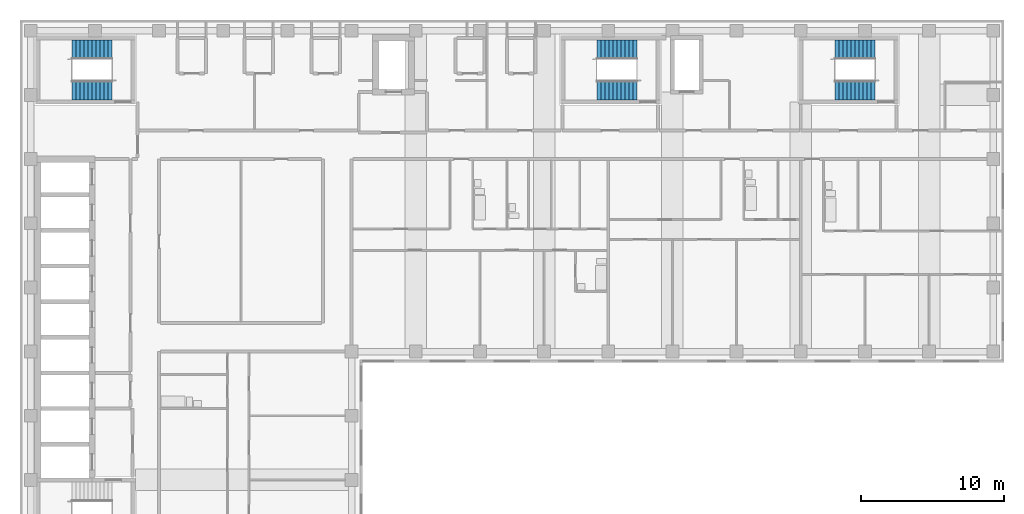
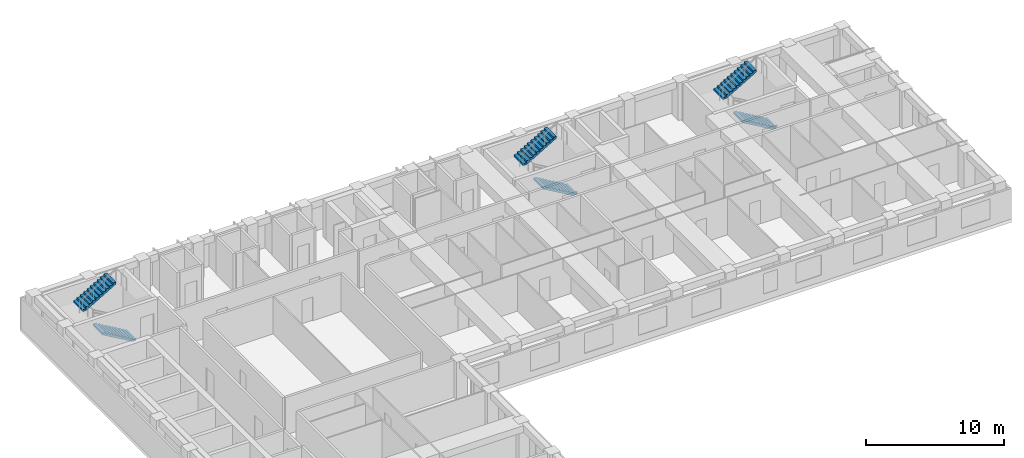
# One storey, part 9 of 11: 6 stair flights, 3 elements without a shape of their own.
"""IFC4 building model written with IfcOpenShell, lengths in metres."""

from ifc_helpers import new_model, si_unit, direction, frame, origin, place, context, subcontext, project, spatial, polyline, outline, extrude, material, type_object, element, aggregate, save


model = new_model("IFC4")

# Units and contexts
model_context = context("Model", 3, precision=1e-05, world=origin(), true_north=direction((0.0, 1.0)))
body_context = subcontext(model_context, "Body", "Model", "MODEL_VIEW")
ifc_project = project(units=[si_unit("LENGTHUNIT", "METRE"), si_unit("AREAUNIT", "SQUARE_METRE"), si_unit("VOLUMEUNIT", "CUBIC_METRE"), si_unit("PLANEANGLEUNIT", "RADIAN"), si_unit("MASSUNIT", "GRAM", prefix="KILO")], contexts=[model_context])

# Site, building, storey
site_placement = place(None, origin())
site = spatial("IfcSite", under=ifc_project, at=site_placement, CompositionType="ELEMENT")
building_placement = place(site_placement, origin())
building = spatial("IfcBuilding", under=site, at=building_placement, Name="Firuza Court", CompositionType="ELEMENT")
storey_placement = place(building_placement, frame((0.0, 0.0, 179.0)))
storey = spatial("IfcBuildingStorey", under=building, at=storey_placement, Name="L45", CompositionType="ELEMENT", Elevation=179.0)

# Stair, stair flights
ifc_material_1 = material(Name="Concrete C40/50 precast", Category="concrete")
stair_type = type_object("IfcStairType", Name="Stair 1350 x 3600 2 flights", PredefinedType="HALF_TURN_STAIR", material=ifc_material_1)
stair_1_placement = place(storey_placement, origin())
stair_1 = element("IfcStair", 1, at=stair_1_placement, inside=storey, type_object=stair_type, Name="Stair 1 L45", PredefinedType="HALF_TURN_STAIR")
ifc_material_2 = material(Name="Concrete C40/50 precast", Category="concrete")
stair_flight_type = type_object("IfcStairFlightType", Name="Flight 1350 riser 163.6", PredefinedType="STRAIGHT", material=ifc_material_2)
stair_flight_1_placement = place(storey_placement, frame((42.5, 54.324951171875, 0.0), z_axis=(0.0, 0.0, 1.0), x_axis=(-1.0, 0.0, 0.0)))
stair_flight_1 = element("IfcStairFlight", 2, at=stair_flight_1_placement, type_object=stair_flight_type, Name="S1 flight 1", NumberOfRisers=11, NumberOfTreads=10, PredefinedType="STRAIGHT", RiserHeight=0.163636364, TreadLength=0.28, context=body_context, shape_type="SweptSolid", body=[
    extrude(outline(polyline([(0.0, 0.0), (0.0, 0.16357421875), (0.280029296875, 0.16357421875), (0.280029296875, 0.327392578125), (0.56005859375, 0.327392578125), (0.56005859375, 0.490966796875), (0.840087890625, 0.490966796875), (0.840087890625, 0.654541015625), (1.1201171875, 0.654541015625), (1.1201171875, 0.818115234375), (1.39990234375, 0.818115234375), (1.39990234375, 0.98193359375), (1.679931640625, 0.98193359375), (1.679931640625, 1.1455078125), (1.9599609375, 1.1455078125), (1.9599609375, 1.30908203125), (2.239990234375, 1.30908203125), (2.239990234375, 1.47265625), (2.52001953125, 1.47265625), (2.52001953125, 1.636474609375), (2.800048828125, 1.636474609375), (2.800048828125, 1.800048828125), (2.800048828125, 1.462646484375), (0.297119140625, 0.0), (0.0, 0.0)])), frame((0.0, 0.675048828125, 0.0), z_axis=(0.0, -1.0, 0.0), x_axis=(1.0, 0.0, 0.0)), (0.0, 0.0, 1.0), 1.35009765625),
])
stair_flight_2_placement = place(storey_placement, frame((39.699951171875, 57.175048828125, 1.800048828125), z_axis=(0.0, 0.0, 1.0), x_axis=(1.0, 0.0, 0.0)))
stair_flight_2 = element("IfcStairFlight", 3, at=stair_flight_2_placement, type_object=stair_flight_type, Name="S1 flight 2", NumberOfRisers=11, NumberOfTreads=10, PredefinedType="STRAIGHT", RiserHeight=0.163636364, TreadLength=0.28, context=body_context, shape_type="SweptSolid", body=[
    extrude(outline(polyline([(0.0, 0.0), (0.0, 0.16357421875), (0.280029296875, 0.16357421875), (0.280029296875, 0.327392578125), (0.56005859375, 0.327392578125), (0.56005859375, 0.490966796875), (0.840087890625, 0.490966796875), (0.840087890625, 0.654541015625), (1.1201171875, 0.654541015625), (1.1201171875, 0.818115234375), (1.39990234375, 0.818115234375), (1.39990234375, 0.98193359375), (1.679931640625, 0.98193359375), (1.679931640625, 1.1455078125), (1.9599609375, 1.1455078125), (1.9599609375, 1.30908203125), (2.239990234375, 1.30908203125), (2.239990234375, 1.47265625), (2.52001953125, 1.47265625), (2.52001953125, 1.636474609375), (2.800048828125, 1.636474609375), (2.800048828125, 1.800048828125), (2.800048828125, 1.462646484375), (0.297119140625, 0.0), (0.0, 0.0)])), frame((0.0, 0.675048828125, 0.0), z_axis=(0.0, -1.0, 0.0), x_axis=(1.0, 0.0, 0.0)), (0.0, 0.0, 1.0), 1.35009765625),
])
aggregate(stair_1, [stair_flight_1, stair_flight_2])

stair_2_placement = place(storey_placement, origin())
stair_2 = element("IfcStair", 4, at=stair_2_placement, inside=storey, type_object=stair_type, Name="Stair 3 L45", PredefinedType="HALF_TURN_STAIR")
stair_flight_3_placement = place(storey_placement, frame((5.699951171875, 54.324951171875, 0.0), z_axis=(0.0, 0.0, 1.0), x_axis=(-1.0, 0.0, 0.0)))
stair_flight_3 = element("IfcStairFlight", 5, at=stair_flight_3_placement, type_object=stair_flight_type, Name="S3 flight 1", NumberOfRisers=11, NumberOfTreads=10, PredefinedType="STRAIGHT", RiserHeight=0.163636364, TreadLength=0.28, context=body_context, shape_type="SweptSolid", body=[
    extrude(outline(polyline([(0.0, 0.0), (0.0, 0.16357421875), (0.280029296875, 0.16357421875), (0.280029296875, 0.327392578125), (0.56005859375, 0.327392578125), (0.56005859375, 0.490966796875), (0.840087890625, 0.490966796875), (0.840087890625, 0.654541015625), (1.1201171875, 0.654541015625), (1.1201171875, 0.818115234375), (1.39990234375, 0.818115234375), (1.39990234375, 0.98193359375), (1.679931640625, 0.98193359375), (1.679931640625, 1.1455078125), (1.9599609375, 1.1455078125), (1.9599609375, 1.30908203125), (2.239990234375, 1.30908203125), (2.239990234375, 1.47265625), (2.52001953125, 1.47265625), (2.52001953125, 1.636474609375), (2.800048828125, 1.636474609375), (2.800048828125, 1.800048828125), (2.800048828125, 1.462646484375), (0.297119140625, 0.0), (0.0, 0.0)])), frame((0.0, 0.675048828125, 0.0), z_axis=(0.0, -1.0, 0.0), x_axis=(1.0, 0.0, 0.0)), (0.0, 0.0, 1.0), 1.35009765625),
])
stair_flight_4_placement = place(storey_placement, frame((2.89990234375, 57.175048828125, 1.800048828125), z_axis=(0.0, 0.0, 1.0), x_axis=(1.0, 0.0, 0.0)))
stair_flight_4 = element("IfcStairFlight", 6, at=stair_flight_4_placement, type_object=stair_flight_type, Name="S3 flight 2", NumberOfRisers=11, NumberOfTreads=10, PredefinedType="STRAIGHT", RiserHeight=0.163636364, TreadLength=0.28, context=body_context, shape_type="SweptSolid", body=[
    extrude(outline(polyline([(0.0, 0.0), (0.0, 0.16357421875), (0.280029296875, 0.16357421875), (0.280029296875, 0.327392578125), (0.56005859375, 0.327392578125), (0.56005859375, 0.490966796875), (0.840087890625, 0.490966796875), (0.840087890625, 0.654541015625), (1.1201171875, 0.654541015625), (1.1201171875, 0.818115234375), (1.39990234375, 0.818115234375), (1.39990234375, 0.98193359375), (1.679931640625, 0.98193359375), (1.679931640625, 1.1455078125), (1.9599609375, 1.1455078125), (1.9599609375, 1.30908203125), (2.239990234375, 1.30908203125), (2.239990234375, 1.47265625), (2.52001953125, 1.47265625), (2.52001953125, 1.636474609375), (2.800048828125, 1.636474609375), (2.800048828125, 1.800048828125), (2.800048828125, 1.462646484375), (0.297119140625, 0.0), (0.0, 0.0)])), frame((0.0, 0.675048828125, 0.0), z_axis=(0.0, -1.0, 0.0), x_axis=(1.0, 0.0, 0.0)), (0.0, 0.0, 1.0), 1.35009765625),
])
aggregate(stair_2, [stair_flight_3, stair_flight_4])

stair_3_placement = place(storey_placement, origin())
stair_3 = element("IfcStair", 7, at=stair_3_placement, inside=storey, type_object=stair_type, Name="Stair 4 L45", PredefinedType="HALF_TURN_STAIR")
stair_flight_5_placement = place(storey_placement, frame((59.199951171875, 54.324951171875, 0.0), z_axis=(0.0, 0.0, 1.0), x_axis=(-1.0, 0.0, 0.0)))
stair_flight_5 = element("IfcStairFlight", 8, at=stair_flight_5_placement, type_object=stair_flight_type, Name="S4 flight 1", NumberOfRisers=11, NumberOfTreads=10, PredefinedType="STRAIGHT", RiserHeight=0.163636364, TreadLength=0.28, context=body_context, shape_type="SweptSolid", body=[
    extrude(outline(polyline([(0.0, 0.0), (0.0, 0.16357421875), (0.280029296875, 0.16357421875), (0.280029296875, 0.327392578125), (0.56005859375, 0.327392578125), (0.56005859375, 0.490966796875), (0.840087890625, 0.490966796875), (0.840087890625, 0.654541015625), (1.1201171875, 0.654541015625), (1.1201171875, 0.818115234375), (1.39990234375, 0.818115234375), (1.39990234375, 0.98193359375), (1.679931640625, 0.98193359375), (1.679931640625, 1.1455078125), (1.9599609375, 1.1455078125), (1.9599609375, 1.30908203125), (2.239990234375, 1.30908203125), (2.239990234375, 1.47265625), (2.52001953125, 1.47265625), (2.52001953125, 1.636474609375), (2.800048828125, 1.636474609375), (2.800048828125, 1.800048828125), (2.800048828125, 1.462646484375), (0.297119140625, 0.0), (0.0, 0.0)])), frame((0.0, 0.675048828125, 0.0), z_axis=(0.0, -1.0, 0.0), x_axis=(1.0, 0.0, 0.0)), (0.0, 0.0, 1.0), 1.35009765625),
])
stair_flight_6_placement = place(storey_placement, frame((56.39990234375, 57.175048828125, 1.800048828125), z_axis=(0.0, 0.0, 1.0), x_axis=(1.0, 0.0, 0.0)))
stair_flight_6 = element("IfcStairFlight", 9, at=stair_flight_6_placement, type_object=stair_flight_type, Name="S4 flight 2", NumberOfRisers=11, NumberOfTreads=10, PredefinedType="STRAIGHT", RiserHeight=0.163636364, TreadLength=0.28, context=body_context, shape_type="SweptSolid", body=[
    extrude(outline(polyline([(0.0, 0.0), (0.0, 0.16357421875), (0.280029296875, 0.16357421875), (0.280029296875, 0.327392578125), (0.56005859375, 0.327392578125), (0.56005859375, 0.490966796875), (0.840087890625, 0.490966796875), (0.840087890625, 0.654541015625), (1.1201171875, 0.654541015625), (1.1201171875, 0.818115234375), (1.39990234375, 0.818115234375), (1.39990234375, 0.98193359375), (1.679931640625, 0.98193359375), (1.679931640625, 1.1455078125), (1.9599609375, 1.1455078125), (1.9599609375, 1.30908203125), (2.239990234375, 1.30908203125), (2.239990234375, 1.47265625), (2.52001953125, 1.47265625), (2.52001953125, 1.636474609375), (2.800048828125, 1.636474609375), (2.800048828125, 1.800048828125), (2.800048828125, 1.462646484375), (0.297119140625, 0.0), (0.0, 0.0)])), frame((0.0, 0.675048828125, 0.0), z_axis=(0.0, -1.0, 0.0), x_axis=(1.0, 0.0, 0.0)), (0.0, 0.0, 1.0), 1.35009765625),
])
aggregate(stair_3, [stair_flight_5, stair_flight_6])

save(model, "model.ifc")
